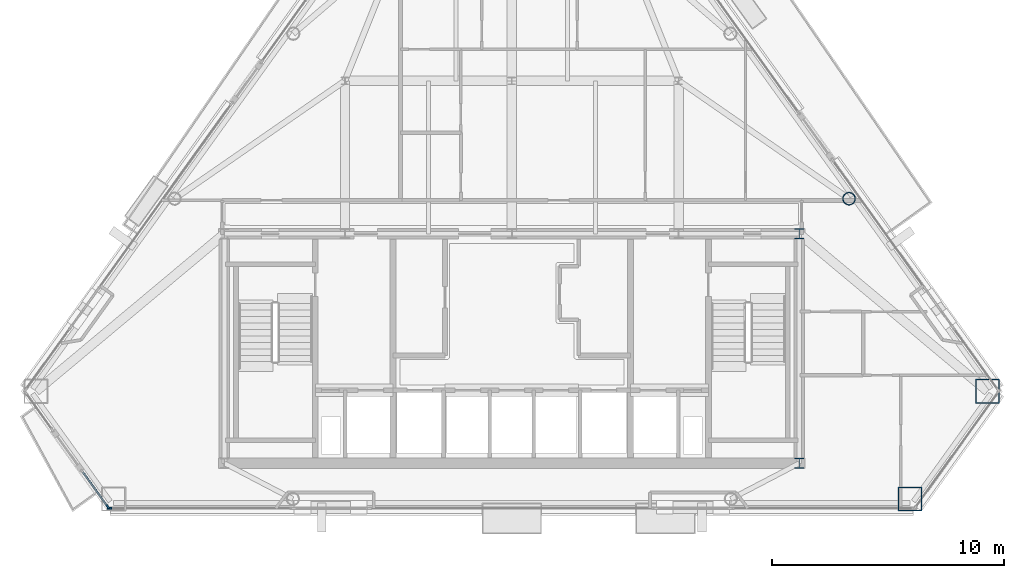
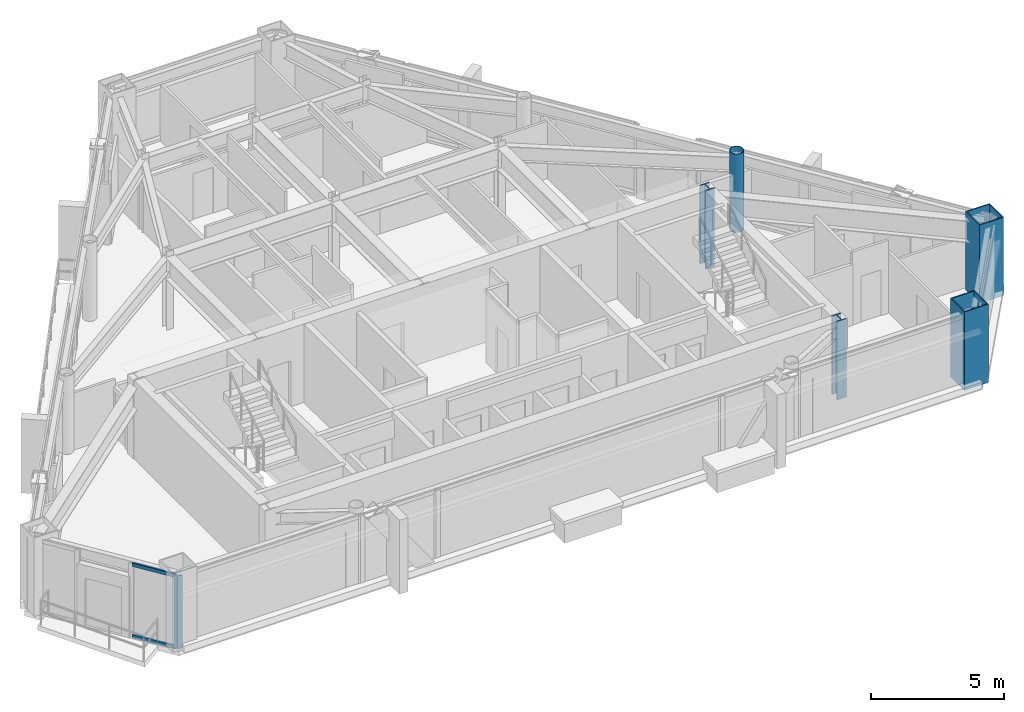
# One storey, part 2 of 11: 5 columns, 4 members, 2 elements without a shape of their own.
"""IFC4 building model written with IfcOpenShell, lengths in metres."""

from ifc_helpers import new_model, si_unit, direction, frame, origin, origin_2d, place, context, subcontext, project, spatial, rectangle, hollow_rectangle, hollow_circle, i_section, extrude, material, layer, layer_set, material_profile, profile_set, type_object, element, aggregate, save


model = new_model("IFC4")

# Units and contexts
model_context = context("Model", 3, precision=1e-05, world=origin(), true_north=direction((0.0, 1.0)))
body_context = subcontext(model_context, "Body", "Model", "MODEL_VIEW")
ifc_project = project(units=[si_unit("LENGTHUNIT", "METRE"), si_unit("AREAUNIT", "SQUARE_METRE"), si_unit("VOLUMEUNIT", "CUBIC_METRE"), si_unit("PLANEANGLEUNIT", "RADIAN"), si_unit("MASSUNIT", "GRAM", prefix="KILO")], contexts=[model_context])

# Site, building, storey
site_placement = place(None, origin())
site = spatial("IfcSite", under=ifc_project, at=site_placement, CompositionType="ELEMENT")
building_placement = place(site_placement, origin())
building = spatial("IfcBuilding", under=site, at=building_placement, Name="Talgorran Terracotta Tower", CompositionType="ELEMENT")
storey_placement = place(building_placement, frame((0.0, 0.0, 196.5)))
storey = spatial("IfcBuildingStorey", under=building, at=storey_placement, Name="L51", CompositionType="ELEMENT", Elevation=196.5)

# Columns
ifc_material_1 = material(Name="Steel S355 (300PLUS)", Category="steel")
ifc_material_profile_1 = material_profile(ifc_material_1, i_section(OverallWidth=0.39990234375, OverallDepth=0.43994140625, WebThickness=0.028076171875, FlangeThickness=0.0400390625, at=origin_2d()), Name="400WC328")
ifc_profile_set_1 = profile_set([ifc_material_profile_1], Name="Steel S355 (300PLUS)")
column_type_1 = type_object("IfcColumnType", Name="COL_400WC328", PredefinedType="COLUMN", material=ifc_profile_set_1)
for number, where, z_axis, x_axis, name in (
    (1, (12.39990234375, -14.10009765625, 0.0), (0.0, 0.0, 1.0), (1.0, 0.0, 0.0), "L51 Core Boundary Column CC2"),
    (2, (12.39990234375, -4.199951171875, 0.0), (0.0, 0.0, 1.0), (1.0, 0.0, 0.0), "L51 Core Boundary Column CC3"),
):
    element("IfcColumn", number, at=place(storey_placement, frame(where, z_axis=z_axis, x_axis=x_axis)), inside=storey, type_object=column_type_1, Name=name, PredefinedType="COLUMN", context=body_context, shape_type="SweptSolid", body=[
        extrude(i_section(OverallWidth=0.39990234375, OverallDepth=0.43994140625, WebThickness=0.028076171875, FlangeThickness=0.0400390625, at=origin_2d()), origin(), (0.0, 0.0, 1.0), 3.60009765625),
    ])
ifc_material_2 = material(Name="Steel Grade 350 (350L0)", Category="steel")
ifc_material_profile_2 = material_profile(ifc_material_2, hollow_rectangle(XDim=1.050048828125, YDim=1.050048828125, WallThickness=0.044921875, at=origin_2d()), Name="CFT1050X1050X45")
ifc_profile_set_2 = profile_set([ifc_material_profile_2], Name="Steel Grade 350 (350L0)")
column_type_2 = type_object("IfcColumnType", Name="COL_CFT_1050", PredefinedType="COLUMN", material=ifc_profile_set_2)
for number, where, z_axis, x_axis, name in (
    (3, (17.1796875, -15.64111328125, 0.0), (0.0, 0.0, 1.0), (1.0, 0.0, 0.0), "L51 Corner CFT Mega-Column MC3"),
    (4, (20.524169921875, -10.9921875, 0.0), (0.0, 0.0, 1.0), (1.0, 0.0, 0.0), "L51 Corner CFT Mega-Column MC4"),
):
    element("IfcColumn", number, at=place(storey_placement, frame(where, z_axis=z_axis, x_axis=x_axis)), inside=storey, type_object=column_type_2, Name=name, PredefinedType="COLUMN", context=body_context, shape_type="SweptSolid", body=[
        extrude(hollow_rectangle(XDim=1.050048828125, YDim=1.050048828125, WallThickness=0.044921875, at=origin_2d()), origin(), (0.0, 0.0, 1.0), 3.60009765625),
    ])
ifc_material_profile_3 = material_profile(ifc_material_2, hollow_circle(Radius=0.27490234375, WallThickness=0.02392578125, at=origin_2d()), Name="CHS550X24")
ifc_profile_set_3 = profile_set([ifc_material_profile_3], Name="Steel Grade 350 (350L0)")
column_type_3 = type_object("IfcColumnType", Name="COL_CHS_550", PredefinedType="COLUMN", material=ifc_profile_set_3)
column_placement = place(storey_placement, frame((14.548828125, -2.686279296875, 0.0), z_axis=(0.0, 0.0, 1.0), x_axis=(1.0, 0.0, 0.0)))
element("IfcColumn", 5, at=column_placement, inside=storey, type_object=column_type_3, Name="L51 Facet Perimeter Column FC3", PredefinedType="COLUMN", context=body_context, shape_type="SweptSolid", body=[
    extrude(hollow_circle(Radius=0.27490234375, WallThickness=0.02392578125, at=origin_2d()), origin(), (0.0, 0.0, 1.0), 3.60009765625),
])

# Curtain wall, member
ifc_material_3 = material(Name="High-Wind Unitised Glazing", Category="glass")
ifc_layer = layer(ifc_material_3, 0.2099609375, Name="CW_SYS3_RES_HIGH")
ifc_layer_set = layer_set([ifc_layer], Name="High-Wind Unitised Glazing")
curtain_wall_type = type_object("IfcCurtainWallType", Name="CW_SYS3_RES_HIGH", PredefinedType="NOTDEFINED", material=ifc_layer_set)
curtain_wall_1_placement = place(storey_placement, origin())
curtain_wall_1 = element("IfcCurtainWall", 6, at=curtain_wall_1_placement, inside=storey, type_object=curtain_wall_type, Name="CW-L51-F11", PredefinedType="NOTDEFINED")
ifc_material_4 = material(Name="Architectural Aluminium 6063-T6", Category="aluminium")
ifc_material_profile_4 = material_profile(ifc_material_4, rectangle(XDim=0.070068359375, YDim=0.199951171875, at=origin_2d()), Name="CWM70X200")
ifc_profile_set_4 = profile_set([ifc_material_profile_4], Name="Architectural Aluminium 6063-T6")
member_type_1 = type_object("IfcMemberType", Name="MUL_70X200", PredefinedType="MULLION", material=ifc_profile_set_4)
member_1_placement = place(storey_placement, frame((-17.428466796875, -15.980224609375, 0.0), z_axis=(0.0, 0.0, 1.0), x_axis=(0.811770568062, 0.583976493387, 0.0)))
member_1 = element("IfcMember", 7, at=member_1_placement, type_object=member_type_1, Name="CW-L51-11 mullion 2", PredefinedType="MULLION", context=body_context, shape_type="SweptSolid", body=[
    extrude(rectangle(XDim=0.070068359375, YDim=0.199951171875, at=origin_2d()), origin(), (0.0, 0.0, 1.0), 3.35009765625),
])

curtain_wall_2_placement = place(storey_placement, origin())
curtain_wall_2 = element("IfcCurtainWall", 8, at=curtain_wall_2_placement, inside=storey, type_object=curtain_wall_type, Name="CW-L51-F1", PredefinedType="NOTDEFINED")
member_2_placement = place(storey_placement, frame((-17.349609375, -16.041015625, 0.0), z_axis=(0.0, 0.0, 1.0), x_axis=(0.0, 1.0, 0.0)))
member_2 = element("IfcMember", 9, at=member_2_placement, type_object=member_type_1, Name="CW-L51-1 mullion 1", PredefinedType="MULLION", context=body_context, shape_type="SweptSolid", body=[
    extrude(rectangle(XDim=0.070068359375, YDim=0.199951171875, at=origin_2d()), origin(), (0.0, 0.0, 1.0), 3.35009765625),
])
aggregate(curtain_wall_2, [member_2])

# Member
ifc_material_profile_5 = material_profile(ifc_material_4, rectangle(XDim=0.070068359375, YDim=0.159912109375, at=origin_2d()), Name="CWT70X160")
ifc_profile_set_5 = profile_set([ifc_material_profile_5], Name="Architectural Aluminium 6063-T6")
member_type_2 = type_object("IfcMemberType", Name="TRN_70X160", PredefinedType="USERDEFINED", material=ifc_profile_set_5)
member_3_placement = place(storey_placement, frame((-18.501708984375, -14.488525390625, 0.034912109375), z_axis=(0.584040654846, -0.81172440735, 0.0), x_axis=(0.81172440735, 0.584040654846, 0.0)))
member_3 = element("IfcMember", 10, at=member_3_placement, type_object=member_type_2, Name="CW-L51-11 transom 1.1", ObjectType="TRANSOM", PredefinedType="USERDEFINED", context=body_context, shape_type="SweptSolid", body=[
    extrude(rectangle(XDim=0.070068359375, YDim=0.159912109375, at=origin_2d()), origin(), (0.0, 0.0, 1.0), 1.802490234375),
])

member_4_placement = place(storey_placement, frame((-18.501708984375, -14.488525390625, 3.31494140625), z_axis=(0.584040654846, -0.81172440735, 0.0), x_axis=(0.81172440735, 0.584040654846, 0.0)))
member_4 = element("IfcMember", 11, at=member_4_placement, type_object=member_type_2, Name="CW-L51-11 transom 1.2", ObjectType="TRANSOM", PredefinedType="USERDEFINED", context=body_context, shape_type="SweptSolid", body=[
    extrude(rectangle(XDim=0.070068359375, YDim=0.159912109375, at=origin_2d()), origin(), (0.0, 0.0, 1.0), 1.802490234375),
])

aggregate(curtain_wall_1, [member_1, member_3, member_4])

save(model, "model.ifc")
